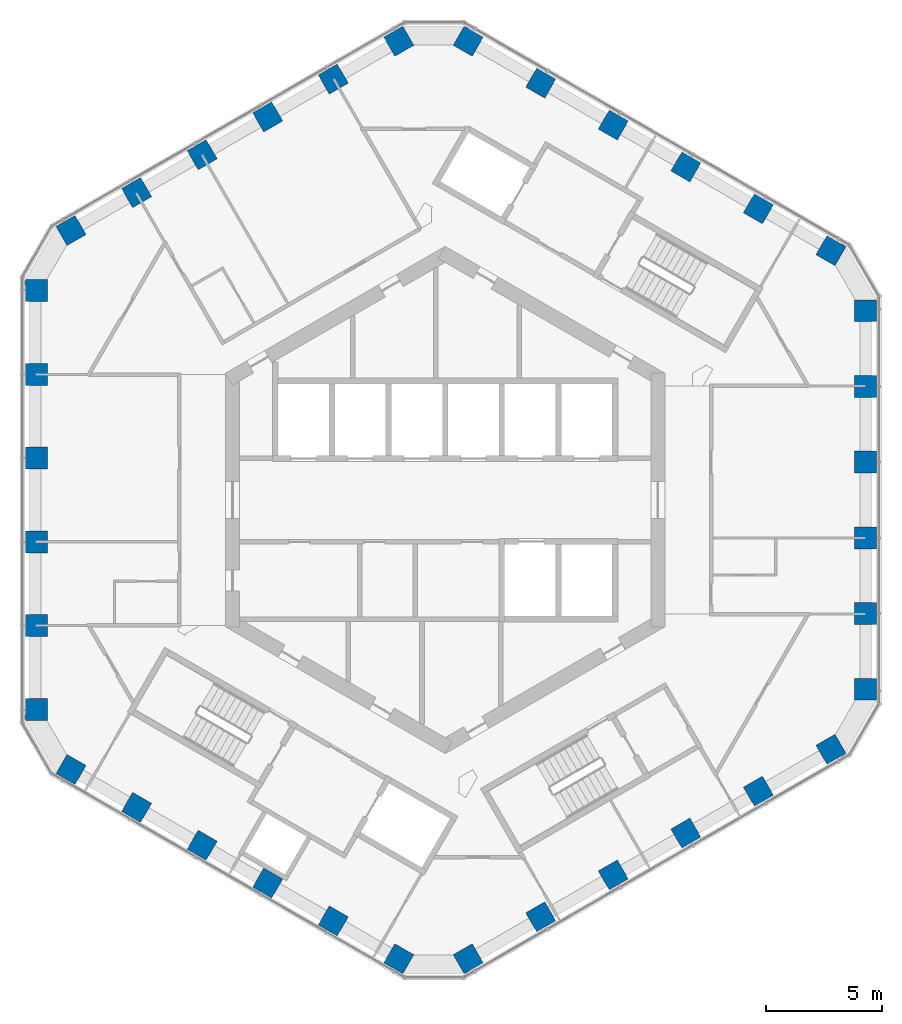
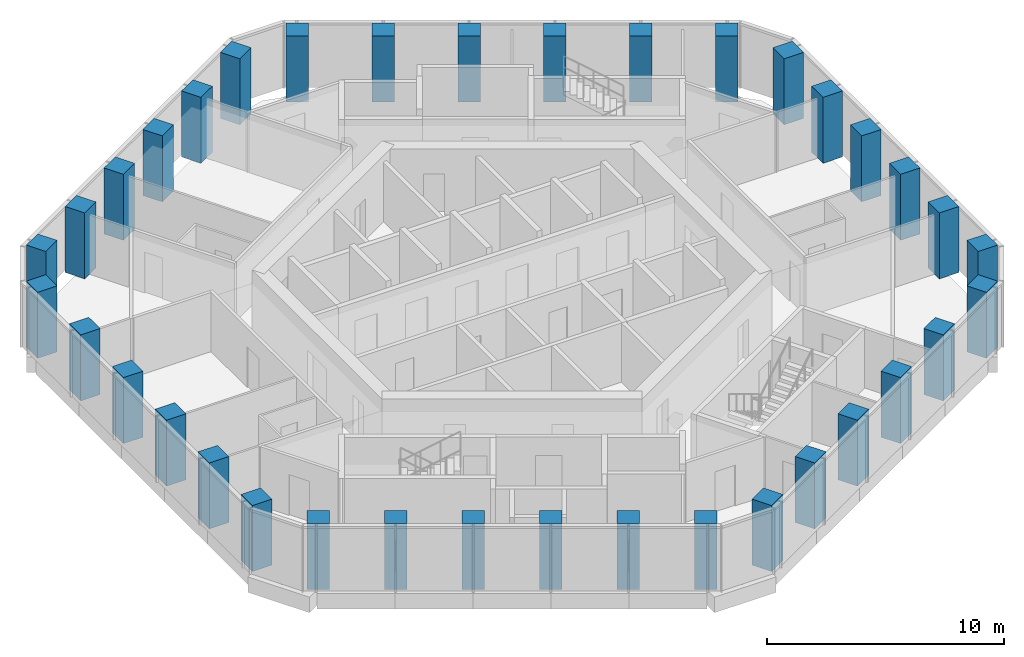
# One storey, part 1 of 18: 36 columns.
"""IFC4 building model written with IfcOpenShell, lengths in metres."""

from ifc_helpers import new_model, si_unit, direction, frame, origin, origin_2d, place, context, subcontext, project, spatial, rectangle, extrude, material, material_profile, profile_set, type_object, element, save


model = new_model("IFC4")

# Units and contexts
model_context = context("Model", 3, precision=1e-05, world=origin(), true_north=direction((0.0, 1.0)))
body_context = subcontext(model_context, "Body", "Model", "MODEL_VIEW")
ifc_project = project(units=[si_unit("LENGTHUNIT", "METRE"), si_unit("AREAUNIT", "SQUARE_METRE"), si_unit("VOLUMEUNIT", "CUBIC_METRE"), si_unit("PLANEANGLEUNIT", "RADIAN"), si_unit("MASSUNIT", "GRAM", prefix="KILO")], contexts=[model_context])

# Site, building, storey
site_placement = place(None, origin())
site = spatial("IfcSite", under=ifc_project, at=site_placement, CompositionType="ELEMENT")
building_placement = place(site_placement, origin())
building = spatial("IfcBuilding", under=site, at=building_placement, Name="Ayvan Gate Tower", CompositionType="ELEMENT")
storey_placement = place(building_placement, frame((0.0, 0.0, 179.89990234375)))
storey = spatial("IfcBuildingStorey", under=building, at=storey_placement, Name="L48", CompositionType="ELEMENT", Elevation=179.89990234375)

# Columns
ifc_material = material(Name="Concrete C55/67", Category="concrete")
ifc_material_profile = material_profile(ifc_material, rectangle(XDim=0.949951171875, YDim=0.949951171875, at=origin_2d()), Name="RC 950x950")
ifc_profile_set = profile_set([ifc_material_profile], Name="Concrete C55/67")
column_type = type_object("IfcColumnType", Name="Tube column RC 950x950 C55/67", PredefinedType="COLUMN", material=ifc_profile_set)
for number, where, z_axis, x_axis, name in (
    (1, (18.1865234375, -8.185546875, 0.0), (0.0, 0.0, 1.0), (1.0, 0.0, 0.0), "C-T0-0-L48"),
    (2, (18.1865234375, -4.911376953125, 0.0), (0.0, 0.0, 1.0), (1.0, 0.0, 0.0), "C-T0-1-L48"),
    (3, (18.1865234375, -1.63720703125, 0.0), (0.0, 0.0, 1.0), (1.0, 0.0, 0.0), "C-T0-2-L48"),
    (4, (18.1865234375, 1.63720703125, 0.0), (0.0, 0.0, 1.0), (1.0, 0.0, 0.0), "C-T0-3-L48"),
    (5, (18.1865234375, 4.911376953125, 0.0), (0.0, 0.0, 1.0), (1.0, 0.0, 0.0), "C-T0-4-L48"),
    (6, (18.1865234375, 8.185546875, 0.0), (0.0, 0.0, 1.0), (1.0, 0.0, 0.0), "C-T0-5-L48"),
    (7, (16.6865234375, 10.783447265625, 0.0), (0.0, 0.0, 1.0), (0.5, 0.866025403784, 0.0), "C-T1-0-L48"),
    (8, (13.54833984375, 12.595458984375, 0.0), (0.0, 0.0, 1.0), (0.5, 0.866025403784, 0.0), "C-T1-1-L48"),
    (9, (10.41015625, 14.4072265625, 0.0), (0.0, 0.0, 1.0), (0.5, 0.866025403784, 0.0), "C-T1-2-L48"),
    (10, (7.27197265625, 16.218994140625, 0.0), (0.0, 0.0, 1.0), (0.5, 0.866025403784, 0.0), "C-T1-3-L48"),
    (11, (4.1337890625, 18.031005859375, 0.0), (0.0, 0.0, 1.0), (0.5, 0.866025403784, 0.0), "C-T1-4-L48"),
    (12, (0.99560546875, 19.8427734375, 0.0), (0.0, 0.0, 1.0), (0.5, 0.866025403784, 0.0), "C-T1-5-L48"),
    (13, (-2.00439453125, 19.8427734375, 0.0), (0.0, 0.0, 1.0), (-0.5, 0.866025403784, 0.0), "C-T2-0-L48"),
    (14, (-4.840087890625, 18.20556640625, 0.0), (0.0, 0.0, 1.0), (-0.5, 0.866025403784, 0.0), "C-T2-1-L48"),
    (15, (-7.675537109375, 16.568603515625, 0.0), (0.0, 0.0, 1.0), (-0.5, 0.866025403784, 0.0), "C-T2-2-L48"),
    (16, (-10.510986328125, 14.931396484375, 0.0), (0.0, 0.0, 1.0), (-0.5, 0.866025403784, 0.0), "C-T2-3-L48"),
    (17, (-13.346435546875, 13.29443359375, 0.0), (0.0, 0.0, 1.0), (-0.5, 0.866025403784, 0.0), "C-T2-4-L48"),
    (18, (-16.18212890625, 11.6572265625, 0.0), (0.0, 0.0, 1.0), (-0.5, 0.866025403784, 0.0), "C-T2-5-L48"),
    (19, (-17.68212890625, 9.05908203125, 0.0), (0.0, 0.0, 1.0), (-1.0, 0.0, 0.0), "C-T3-0-L48"),
    (20, (-17.68212890625, 5.435546875, 0.0), (0.0, 0.0, 1.0), (-1.0, 0.0, 0.0), "C-T3-1-L48"),
    (21, (-17.68212890625, 1.811767578125, 0.0), (0.0, 0.0, 1.0), (-1.0, 0.0, 0.0), "C-T3-2-L48"),
    (22, (-17.68212890625, -1.811767578125, 0.0), (0.0, 0.0, 1.0), (-1.0, 0.0, 0.0), "C-T3-3-L48"),
    (23, (-17.68212890625, -5.435546875, 0.0), (0.0, 0.0, 1.0), (-1.0, 0.0, 0.0), "C-T3-4-L48"),
    (24, (-17.68212890625, -9.05908203125, 0.0), (0.0, 0.0, 1.0), (-1.0, 0.0, 0.0), "C-T3-5-L48"),
    (25, (-16.18212890625, -11.6572265625, 0.0), (0.0, 0.0, 1.0), (-0.5, -0.866025403784, 0.0), "C-T4-0-L48"),
    (26, (-13.346435546875, -13.29443359375, 0.0), (0.0, 0.0, 1.0), (-0.5, -0.866025403784, 0.0), "C-T4-1-L48"),
    (27, (-10.510986328125, -14.931396484375, 0.0), (0.0, 0.0, 1.0), (-0.5, -0.866025403784, 0.0), "C-T4-2-L48"),
    (28, (-7.675537109375, -16.568603515625, 0.0), (0.0, 0.0, 1.0), (-0.5, -0.866025403784, 0.0), "C-T4-3-L48"),
    (29, (-4.840087890625, -18.20556640625, 0.0), (0.0, 0.0, 1.0), (-0.5, -0.866025403784, 0.0), "C-T4-4-L48"),
    (30, (-2.00439453125, -19.8427734375, 0.0), (0.0, 0.0, 1.0), (-0.5, -0.866025403784, 0.0), "C-T4-5-L48"),
    (31, (0.99560546875, -19.8427734375, 0.0), (0.0, 0.0, 1.0), (0.5, -0.866025403784, 0.0), "C-T5-0-L48"),
    (32, (4.1337890625, -18.031005859375, 0.0), (0.0, 0.0, 1.0), (0.5, -0.866025403784, 0.0), "C-T5-1-L48"),
    (33, (7.27197265625, -16.218994140625, 0.0), (0.0, 0.0, 1.0), (0.5, -0.866025403784, 0.0), "C-T5-2-L48"),
    (34, (10.41015625, -14.4072265625, 0.0), (0.0, 0.0, 1.0), (0.5, -0.866025403784, 0.0), "C-T5-3-L48"),
    (35, (13.54833984375, -12.595458984375, 0.0), (0.0, 0.0, 1.0), (0.5, -0.866025403784, 0.0), "C-T5-4-L48"),
    (36, (16.6865234375, -10.783447265625, 0.0), (0.0, 0.0, 1.0), (0.5, -0.866025403784, 0.0), "C-T5-5-L48"),
):
    element("IfcColumn", number, at=place(storey_placement, frame(where, z_axis=z_axis, x_axis=x_axis)), inside=storey, type_object=column_type, Name=name, PredefinedType="COLUMN", context=body_context, shape_type="SweptSolid", body=[
        extrude(rectangle(XDim=0.949951171875, YDim=0.949951171875, at=origin_2d()), origin(), (0.0, 0.0, 1.0), 3.400146484375),
    ])

save(model, "model.ifc")
